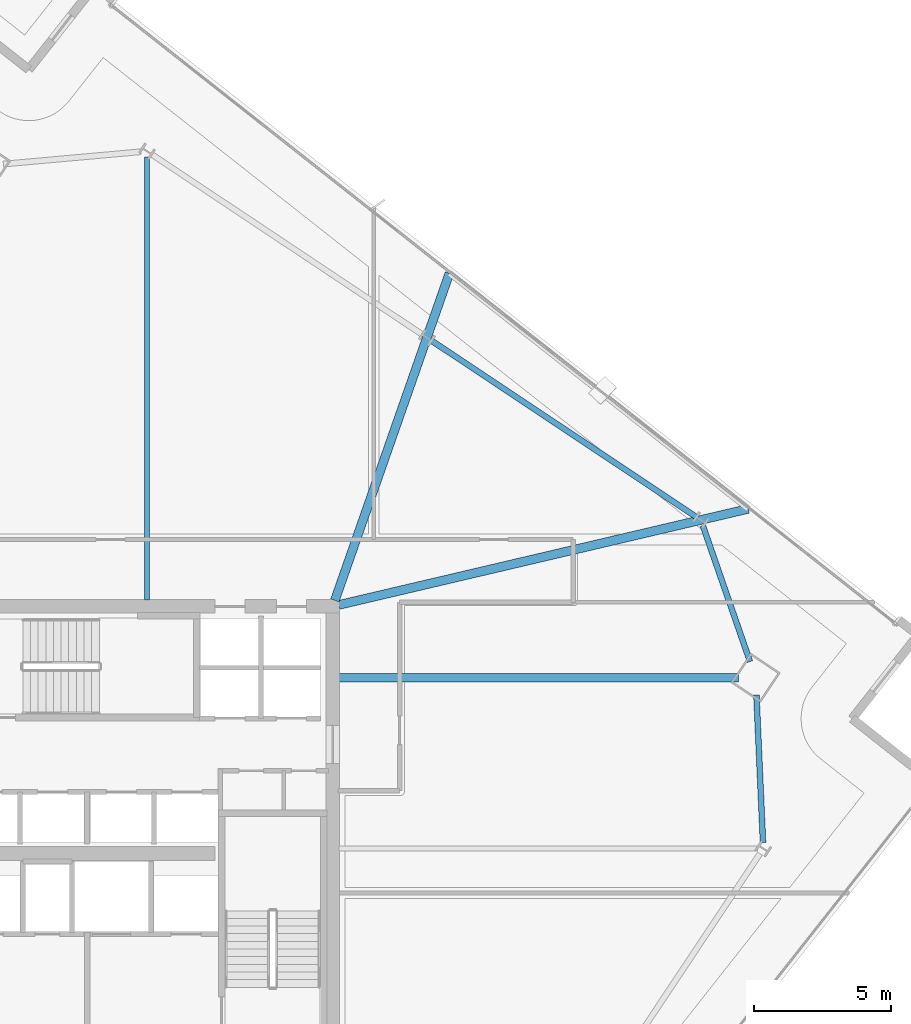
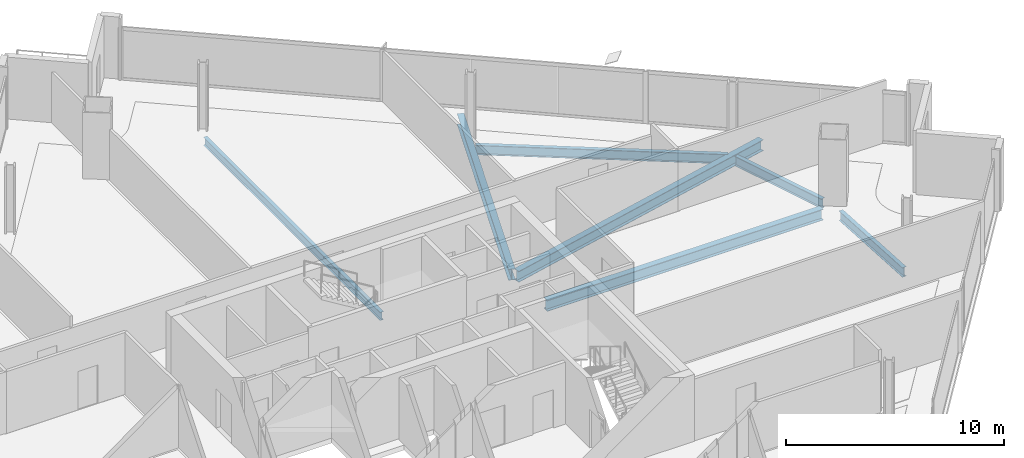
# One storey, part 16 of 28: 7 beams.
"""IFC4 building model written with IfcOpenShell, lengths in metres."""

from ifc_helpers import new_model, si_unit, direction, frame, origin, origin_2d, place, context, subcontext, project, spatial, i_section, extrude, material, material_profile, profile_set, type_object, element, save


model = new_model("IFC4")

# Units and contexts
model_context = context("Model", 3, precision=1e-05, world=origin(), true_north=direction((0.0, 1.0)))
body_context = subcontext(model_context, "Body", "Model", "MODEL_VIEW")
ifc_project = project(units=[si_unit("LENGTHUNIT", "METRE"), si_unit("AREAUNIT", "SQUARE_METRE"), si_unit("VOLUMEUNIT", "CUBIC_METRE"), si_unit("PLANEANGLEUNIT", "RADIAN"), si_unit("MASSUNIT", "GRAM", prefix="KILO")], contexts=[model_context])

# Site, building, storey
site_placement = place(None, origin())
site = spatial("IfcSite", under=ifc_project, at=site_placement, CompositionType="ELEMENT")
building_placement = place(site_placement, origin())
building = spatial("IfcBuilding", under=site, at=building_placement, Name="Haldenkirk Collegiate Tower", CompositionType="ELEMENT")
storey_placement = place(building_placement, frame((0.0, 0.0, 202.199951171875)))
storey = spatial("IfcBuildingStorey", under=building, at=storey_placement, Name="L50", CompositionType="ELEMENT", Elevation=202.199951171875)

# Beams
ifc_material = material(Name="Steel ASTM A992 Grade 50", Category="steel")
ifc_material_profile_1 = material_profile(ifc_material, i_section(OverallWidth=0.324951171875, OverallDepth=0.615966796875, WebThickness=0.013916015625, FlangeThickness=0.021484375, at=origin_2d()), Name="W24X117")
ifc_profile_set_1 = profile_set([ifc_material_profile_1], Name="Steel ASTM A992 Grade 50")
beam_type_1 = type_object("IfcBeamType", Name="BM-GIRDER-W24X117", PredefinedType="BEAM", material=ifc_profile_set_1)
beam_1_placement = place(storey_placement, frame((59.856201171875, 31.3837890625, -0.587890625), z_axis=(-1.0, 0.0, 0.0), x_axis=(0.0, -1.0, 0.0)))
element("IfcBeam", 1, at=beam_1_placement, inside=storey, type_object=beam_type_1, Name="L50 primary floor girder 02", PredefinedType="BEAM", context=body_context, shape_type="SweptSolid", body=[
    extrude(i_section(OverallWidth=0.324951171875, OverallDepth=0.615966796875, WebThickness=0.013916015625, FlangeThickness=0.021484375, at=origin_2d()), origin(), (0.0, 0.0, 1.0), 14.626220703125),
])
beam_2_placement = place(storey_placement, frame((60.2177734375, 37.571044921875, -0.587890625), z_axis=(-0.973553375336, -0.22845967997, 0.0), x_axis=(0.22845967997, -0.973553375336, 0.0)))
element("IfcBeam", 2, at=beam_2_placement, inside=storey, type_object=beam_type_1, Name="L50 primary floor girder 08", PredefinedType="BEAM", context=body_context, shape_type="SweptSolid", body=[
    extrude(i_section(OverallWidth=0.324951171875, OverallDepth=0.615966796875, WebThickness=0.013916015625, FlangeThickness=0.021484375, at=origin_2d()), origin(), (0.0, 0.0, 1.0), 15.401123046875),
])
beam_3_placement = place(storey_placement, frame((49.273193359375, 46.19921875, -0.587890625), z_axis=(-0.330596244759, -0.94377228342, 0.0), x_axis=(0.94377228342, -0.330596244759, 0.0)))
element("IfcBeam", 3, at=beam_3_placement, inside=storey, type_object=beam_type_1, Name="L50 primary floor girder 09", PredefinedType="BEAM", context=body_context, shape_type="SweptSolid", body=[
    extrude(i_section(OverallWidth=0.324951171875, OverallDepth=0.615966796875, WebThickness=0.013916015625, FlangeThickness=0.021484375, at=origin_2d()), origin(), (0.0, 0.0, 1.0), 12.696044921875),
])
ifc_material_profile_2 = material_profile(ifc_material, i_section(OverallWidth=0.18994140625, OverallDepth=0.45703125, WebThickness=0.009033203125, FlangeThickness=0.014404296875, at=origin_2d()), Name="W18X50")
ifc_profile_set_2 = profile_set([ifc_material_profile_2], Name="Steel ASTM A992 Grade 50")
beam_type_2 = type_object("IfcBeamType", Name="BM-JOIST-W18X50", PredefinedType="JOIST", material=ifc_profile_set_2)
beam_4_placement = place(storey_placement, frame((38.192626953125, 50.451416015625, -0.508544921875), z_axis=(0.0, -1.0, 0.0), x_axis=(1.0, 0.0, 0.0)))
element("IfcBeam", 4, at=beam_4_placement, inside=storey, type_object=beam_type_2, Name="L50 composite floor joist 10", PredefinedType="JOIST", context=body_context, shape_type="SweptSolid", body=[
    extrude(i_section(OverallWidth=0.18994140625, OverallDepth=0.45703125, WebThickness=0.009033203125, FlangeThickness=0.014404296875, at=origin_2d()), origin(), (0.0, 0.0, 1.0), 16.221435546875),
])
ifc_material_profile_3 = material_profile(ifc_material, i_section(OverallWidth=0.2099609375, OverallDepth=0.537109375, WebThickness=0.010986328125, FlangeThickness=0.017333984375, at=origin_2d()), Name="W21X68")
ifc_profile_set_3 = profile_set([ifc_material_profile_3], Name="Steel ASTM A992 Grade 50")
beam_type_3 = type_object("IfcBeamType", Name="BM-SPANDREL-W21X68", PredefinedType="SPANDREL", material=ifc_profile_set_3)
beam_5_placement = place(storey_placement, frame((60.756103515625, 25.34326171875, -0.54833984375), z_axis=(-0.044622535616, 0.999003918569, 0.0), x_axis=(-0.999003918569, -0.044622535616, 0.0)))
element("IfcBeam", 5, at=beam_5_placement, inside=storey, type_object=beam_type_3, Name="L50 perimeter spandrel beam 04", PredefinedType="SPANDREL", context=body_context, shape_type="SweptSolid", body=[
    extrude(i_section(OverallWidth=0.2099609375, OverallDepth=0.537109375, WebThickness=0.010986328125, FlangeThickness=0.017333984375, at=origin_2d()), origin(), (0.0, 0.0, 1.0), 5.41650390625),
])
beam_6_placement = place(storey_placement, frame((60.27978515625, 31.97900390625, -0.54833984375), z_axis=(-0.327807295579, 0.944744609387, 0.0), x_axis=(-0.944744609387, -0.327807295579, 0.0)))
element("IfcBeam", 6, at=beam_6_placement, inside=storey, type_object=beam_type_3, Name="L50 perimeter spandrel beam 05", PredefinedType="SPANDREL", context=body_context, shape_type="SweptSolid", body=[
    extrude(i_section(OverallWidth=0.2099609375, OverallDepth=0.537109375, WebThickness=0.010986328125, FlangeThickness=0.017333984375, at=origin_2d()), origin(), (0.0, 0.0, 1.0), 5.270751953125),
])
beam_7_placement = place(storey_placement, frame((58.30029296875, 37.28369140625, -0.54833984375), z_axis=(-0.832431545828, 0.554127892738, 0.0), x_axis=(-0.554127892738, -0.832431545828, 0.0)))
element("IfcBeam", 7, at=beam_7_placement, inside=storey, type_object=beam_type_3, Name="L50 perimeter spandrel beam 06", PredefinedType="SPANDREL", context=body_context, shape_type="SweptSolid", body=[
    extrude(i_section(OverallWidth=0.2099609375, OverallDepth=0.537109375, WebThickness=0.010986328125, FlangeThickness=0.017333984375, at=origin_2d()), origin(), (0.0, 0.0, 1.0), 11.619140625),
])

save(model, "model.ifc")
